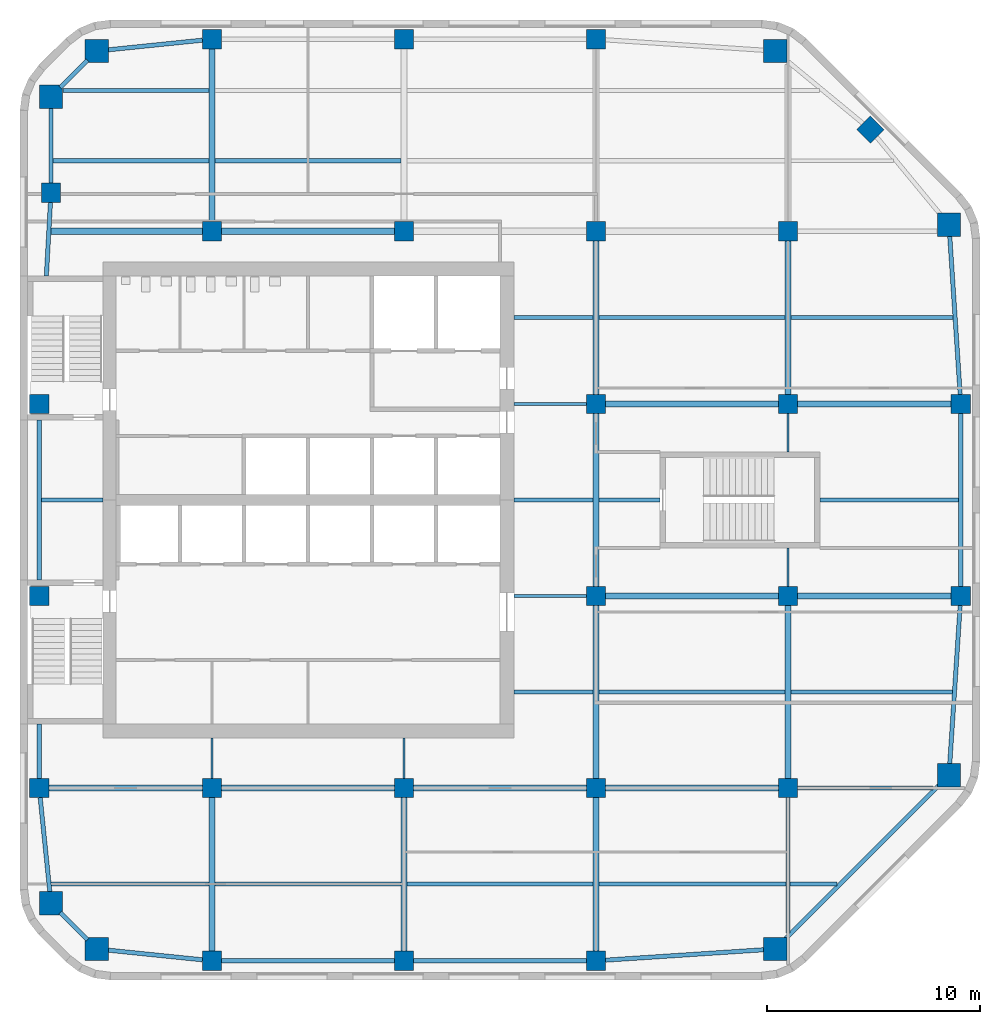
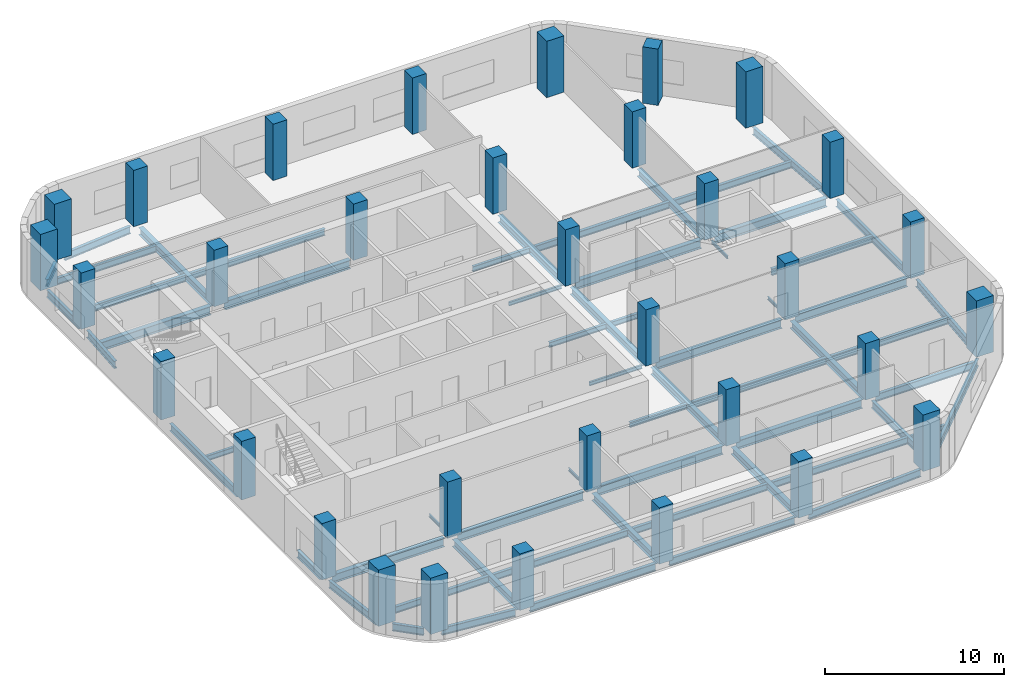
# One storey, part 1 of 8: 61 beams, 33 columns.
"""IFC4 building model written with IfcOpenShell, lengths in metres."""

from ifc_helpers import new_model, si_unit, direction, frame, origin, origin_2d, place, context, subcontext, project, spatial, rectangle, i_section, extrude, material, material_profile, profile_set, type_object, element, save


model = new_model("IFC4")

# Units and contexts
model_context = context("Model", 3, precision=1e-05, world=origin(), true_north=direction((0.0, 1.0)))
body_context = subcontext(model_context, "Body", "Model", "MODEL_VIEW")
ifc_project = project(units=[si_unit("LENGTHUNIT", "METRE"), si_unit("AREAUNIT", "SQUARE_METRE"), si_unit("VOLUMEUNIT", "CUBIC_METRE"), si_unit("PLANEANGLEUNIT", "RADIAN"), si_unit("MASSUNIT", "GRAM", prefix="KILO")], contexts=[model_context])

# Site, building, storey
site_placement = place(None, origin())
site = spatial("IfcSite", under=ifc_project, at=site_placement, CompositionType="ELEMENT")
building_placement = place(site_placement, origin())
building = spatial("IfcBuilding", under=site, at=building_placement, Name="Cinnabar Reach Civic Tower", CompositionType="ELEMENT")
storey_placement = place(building_placement, frame((0.0, 0.0, 185.0)))
storey = spatial("IfcBuildingStorey", under=building, at=storey_placement, Name="L44", CompositionType="ELEMENT", Elevation=185.0)

# Columns
ifc_material_1 = material(Name="Concrete C80", Category="concrete")
ifc_material_profile_1 = material_profile(ifc_material_1, rectangle(XDim=1.1, YDim=1.1, at=origin_2d()), Name="RC1100")
ifc_profile_set_1 = profile_set([ifc_material_profile_1], Name="Concrete C80")
column_type_1 = type_object("IfcColumnType", Name="RC1100 column R 240", PredefinedType="COLUMN", material=ifc_profile_set_1)
for number, where, z_axis, x_axis, name in (
    (1, (3.6019, 10.4531, 0.0), (0.0, 0.0, 1.0), (1.0, 0.0, 0.0), "Column T1-Z3-CC0"),
    (2, (35.3981, 10.4531, 0.0), (0.0, 0.0, 1.0), (1.0, 0.0, 0.0), "Column T1-Z3-CC1"),
    (3, (43.5469, 18.6019, 0.0), (0.0, 0.0, 1.0), (1.0, 0.0, 0.0), "Column T1-Z3-CC2"),
    (4, (43.5469, 44.3981, 0.0), (0.0, 0.0, 1.0), (1.0, 0.0, 0.0), "Column T1-Z3-CC3"),
    (5, (35.3981, 52.5469, 0.0), (0.0, 0.0, 1.0), (1.0, 0.0, 0.0), "Column T1-Z3-CC4"),
    (6, (3.6019, 52.5469, 0.0), (0.0, 0.0, 1.0), (1.0, 0.0, 0.0), "Column T1-Z3-CC5"),
    (7, (1.4531, 50.3981, 0.0), (0.0, 0.0, 1.0), (1.0, 0.0, 0.0), "Column T1-Z3-CC6"),
    (8, (1.4531, 12.6019, 0.0), (0.0, 0.0, 1.0), (1.0, 0.0, 0.0), "Column T1-Z3-CC7"),
):
    element("IfcColumn", number, at=place(storey_placement, frame(where, z_axis=z_axis, x_axis=x_axis)), inside=storey, type_object=column_type_1, Name=name, PredefinedType="COLUMN", context=body_context, shape_type="SweptSolid", body=[
        extrude(rectangle(XDim=1.1, YDim=1.1, at=origin_2d()), origin(), (0.0, 0.0, 1.0), 3.85),
    ])
ifc_material_2 = material(Name="Concrete C70", Category="concrete")
ifc_material_profile_2 = material_profile(ifc_material_2, rectangle(XDim=0.9, YDim=0.9, at=origin_2d()), Name="RC900")
ifc_profile_set_2 = profile_set([ifc_material_profile_2], Name="Concrete C70")
column_type_2 = type_object("IfcColumnType", Name="RC900 column R 240", PredefinedType="COLUMN", material=ifc_profile_set_2)
for number, where, z_axis, x_axis, name in (
    (9, (9.0, 9.9, 0.0), (0.0, 0.0, 1.0), (1.0, 0.0, 0.0), "Column T1-Z3-F0-1"),
    (10, (18.0, 9.9, 0.0), (0.0, 0.0, 1.0), (1.0, 0.0, 0.0), "Column T1-Z3-F0-2"),
    (11, (27.0, 9.9, 0.0), (0.0, 0.0, 1.0), (1.0, 0.0, 0.0), "Column T1-Z3-F0-3"),
    (12, (44.1, 27.0, 0.0), (0.0, 0.0, 1.0), (1.0, 0.0, 0.0), "Column T1-Z3-F2-3"),
    (13, (44.1, 36.0, 0.0), (0.0, 0.0, 1.0), (1.0, 0.0, 0.0), "Column T1-Z3-F2-4"),
    (14, (39.8636, 48.8636, 0.0), (0.0, 0.0, 1.0), (0.707106781187, 0.707106781187, 0.0), "Column T1-Z3-F3-M"),
    (15, (9.0, 53.1, 0.0), (0.0, 0.0, 1.0), (1.0, 0.0, 0.0), "Column T1-Z3-F4-1"),
    (16, (18.0, 53.1, 0.0), (0.0, 0.0, 1.0), (1.0, 0.0, 0.0), "Column T1-Z3-F4-2"),
    (17, (27.0, 53.1, 0.0), (0.0, 0.0, 1.0), (1.0, 0.0, 0.0), "Column T1-Z3-F4-3"),
    (18, (0.9, 18.0, 0.0), (0.0, 0.0, 1.0), (1.0, 0.0, 0.0), "Column T1-Z3-F6-2"),
):
    element("IfcColumn", number, at=place(storey_placement, frame(where, z_axis=z_axis, x_axis=x_axis)), inside=storey, type_object=column_type_2, Name=name, PredefinedType="COLUMN", context=body_context, shape_type="SweptSolid", body=[
        extrude(rectangle(XDim=0.9, YDim=0.9, at=origin_2d()), origin(), (0.0, 0.0, 1.0), 3.85),
    ])
for number, where, z_axis, x_axis, name in (
    (19, (0.9, 27.0, 0.0), (0.0, 0.0, 1.0), (1.0, 0.0, 0.0), "Column T1-Z3-F6-3"),
    (20, (0.9, 36.0, 0.0), (0.0, 0.0, 1.0), (1.0, 0.0, 0.0), "Column T1-Z3-F6-4"),
):
    element("IfcColumn", number, at=place(storey_placement, frame(where, z_axis=z_axis, x_axis=x_axis)), inside=storey, type_object=column_type_2, Name=name, PredefinedType="COLUMN", context=body_context, shape_type="SweptSolid", body=[
        extrude(rectangle(XDim=0.9, YDim=0.9, at=origin_2d()), origin(), (0.0, 0.0, 1.0), 4.0),
    ])
for number, where, z_axis, x_axis, name in (
    (21, (1.4531, 45.8981, 0.0), (0.0, 0.0, 1.0), (1.0, 0.0, 0.0), "Column T1-Z3-F6-5"),
    (22, (9.0, 18.0, 0.0), (0.0, 0.0, 1.0), (1.0, 0.0, 0.0), "Column T1-Z3-I9_18"),
    (23, (9.0, 44.1, 0.0), (0.0, 0.0, 1.0), (1.0, 0.0, 0.0), "Column T1-Z3-I9_45"),
    (24, (18.0, 18.0, 0.0), (0.0, 0.0, 1.0), (1.0, 0.0, 0.0), "Column T1-Z3-I18_18"),
    (25, (18.0, 44.1, 0.0), (0.0, 0.0, 1.0), (1.0, 0.0, 0.0), "Column T1-Z3-I18_45"),
    (26, (27.0, 18.0, 0.0), (0.0, 0.0, 1.0), (1.0, 0.0, 0.0), "Column T1-Z3-I27_18"),
    (27, (27.0, 27.0, 0.0), (0.0, 0.0, 1.0), (1.0, 0.0, 0.0), "Column T1-Z3-I27_27"),
    (28, (27.0, 36.0, 0.0), (0.0, 0.0, 1.0), (1.0, 0.0, 0.0), "Column T1-Z3-I27_36"),
    (29, (27.0, 44.1, 0.0), (0.0, 0.0, 1.0), (1.0, 0.0, 0.0), "Column T1-Z3-I27_45"),
    (30, (36.0, 18.0, 0.0), (0.0, 0.0, 1.0), (1.0, 0.0, 0.0), "Column T1-Z3-I36_18"),
    (31, (36.0, 27.0, 0.0), (0.0, 0.0, 1.0), (1.0, 0.0, 0.0), "Column T1-Z3-I36_27"),
    (32, (36.0, 36.0, 0.0), (0.0, 0.0, 1.0), (1.0, 0.0, 0.0), "Column T1-Z3-I36_36"),
    (33, (36.0, 44.1, 0.0), (0.0, 0.0, 1.0), (1.0, 0.0, 0.0), "Column T1-Z3-I36_45"),
):
    element("IfcColumn", number, at=place(storey_placement, frame(where, z_axis=z_axis, x_axis=x_axis)), inside=storey, type_object=column_type_2, Name=name, PredefinedType="COLUMN", context=body_context, shape_type="SweptSolid", body=[
        extrude(rectangle(XDim=0.9, YDim=0.9, at=origin_2d()), origin(), (0.0, 0.0, 1.0), 3.85),
    ])

# Beams
ifc_material_3 = material(Name="Steel Q355B", Category="steel")
ifc_material_profile_3 = material_profile(ifc_material_3, i_section(OverallWidth=0.3, OverallDepth=0.488, WebThickness=0.011, FlangeThickness=0.018, FilletRadius=0.016, at=origin_2d()), Name="HM488x300x11x18")
ifc_profile_set_3 = profile_set([ifc_material_profile_3], Name="Steel Q355B")
beam_type_1 = type_object("IfcBeamType", Name="HM488x300x11x18 beam R 180", PredefinedType="BEAM", material=ifc_profile_set_3)
beam_1_placement = place(storey_placement, frame((9.0, 10.352, -0.394), z_axis=(0.0, 1.0, 0.0), x_axis=(-1.0, 0.0, 0.0)))
element("IfcBeam", 34, at=beam_1_placement, inside=storey, type_object=beam_type_1, Name="Girder T1 L44 1", PredefinedType="BEAM", context=body_context, shape_type="SweptSolid", body=[
    extrude(i_section(OverallWidth=0.3, OverallDepth=0.488, WebThickness=0.011, FlangeThickness=0.018, FilletRadius=0.016, at=origin_2d()), origin(), (0.0, 0.0, 1.0), 7.196),
])
beam_2_placement = place(storey_placement, frame((9.0, 44.552, -0.394), z_axis=(0.0, 1.0, 0.0), x_axis=(-1.0, 0.0, 0.0)))
element("IfcBeam", 35, at=beam_2_placement, inside=storey, type_object=beam_type_1, Name="Girder T1 L44 3", PredefinedType="BEAM", context=body_context, shape_type="SweptSolid", body=[
    extrude(i_section(OverallWidth=0.3, OverallDepth=0.488, WebThickness=0.011, FlangeThickness=0.018, FilletRadius=0.016, at=origin_2d()), origin(), (0.0, 0.0, 1.0), 8.096),
])
for number, where, z_axis, x_axis, name in (
    (36, (18.0, 10.352, -0.394), (0.0, 1.0, 0.0), (-1.0, 0.0, 0.0), "Girder T1 L44 4"),
    (37, (27.0, 10.352, -0.394), (0.0, 1.0, 0.0), (-1.0, 0.0, 0.0), "Girder T1 L44 7"),
):
    element("IfcBeam", number, at=place(storey_placement, frame(where, z_axis=z_axis, x_axis=x_axis)), inside=storey, type_object=beam_type_1, Name=name, PredefinedType="BEAM", context=body_context, shape_type="SweptSolid", body=[
        extrude(i_section(OverallWidth=0.3, OverallDepth=0.488, WebThickness=0.011, FlangeThickness=0.018, FilletRadius=0.016, at=origin_2d()), origin(), (0.0, 0.0, 1.0), 7.196),
    ])
for number, where, z_axis, x_axis, name in (
    (38, (27.0, 18.452, -0.394), (0.0, 1.0, 0.0), (-1.0, 0.0, 0.0), "Girder T1 L44 8"),
    (39, (27.0, 27.452, -0.394), (0.0, 1.0, 0.0), (-1.0, 0.0, 0.0), "Girder T1 L44 9"),
):
    element("IfcBeam", number, at=place(storey_placement, frame(where, z_axis=z_axis, x_axis=x_axis)), inside=storey, type_object=beam_type_1, Name=name, PredefinedType="BEAM", context=body_context, shape_type="SweptSolid", body=[
        extrude(i_section(OverallWidth=0.3, OverallDepth=0.488, WebThickness=0.011, FlangeThickness=0.018, FilletRadius=0.016, at=origin_2d()), origin(), (0.0, 0.0, 1.0), 8.096),
    ])
beam_3_placement = place(storey_placement, frame((27.0, 36.452, -0.394), z_axis=(0.0, 1.0, 0.0), x_axis=(-1.0, 0.0, 0.0)))
element("IfcBeam", 40, at=beam_3_placement, inside=storey, type_object=beam_type_1, Name="Girder T1 L44 10", PredefinedType="BEAM", context=body_context, shape_type="SweptSolid", body=[
    extrude(i_section(OverallWidth=0.3, OverallDepth=0.488, WebThickness=0.011, FlangeThickness=0.018, FilletRadius=0.016, at=origin_2d()), origin(), (0.0, 0.0, 1.0), 7.196),
])
beam_4_placement = place(storey_placement, frame((36.0, 18.452, -0.394), z_axis=(0.0, 1.0, 0.0), x_axis=(-1.0, 0.0, 0.0)))
element("IfcBeam", 41, at=beam_4_placement, inside=storey, type_object=beam_type_1, Name="Girder T1 L44 13", PredefinedType="BEAM", context=body_context, shape_type="SweptSolid", body=[
    extrude(i_section(OverallWidth=0.3, OverallDepth=0.488, WebThickness=0.011, FlangeThickness=0.018, FilletRadius=0.016, at=origin_2d()), origin(), (0.0, 0.0, 1.0), 8.096),
])
beam_5_placement = place(storey_placement, frame((36.0, 36.452, -0.394), z_axis=(0.0, 1.0, 0.0), x_axis=(-1.0, 0.0, 0.0)))
element("IfcBeam", 42, at=beam_5_placement, inside=storey, type_object=beam_type_1, Name="Girder T1 L44 16", PredefinedType="BEAM", context=body_context, shape_type="SweptSolid", body=[
    extrude(i_section(OverallWidth=0.3, OverallDepth=0.488, WebThickness=0.011, FlangeThickness=0.018, FilletRadius=0.016, at=origin_2d()), origin(), (0.0, 0.0, 1.0), 7.196),
])
ifc_material_profile_4 = material_profile(ifc_material_3, i_section(OverallWidth=0.3, OverallDepth=0.588, WebThickness=0.012, FlangeThickness=0.02, FilletRadius=0.016, at=origin_2d()), Name="HM588x300x12x20")
ifc_profile_set_4 = profile_set([ifc_material_profile_4], Name="Steel Q355B")
beam_type_2 = type_object("IfcBeamType", Name="HM588x300x12x20 beam R 180", PredefinedType="BEAM", material=ifc_profile_set_4)
beam_6_placement = place(storey_placement, frame((1.352, 18.0, -0.444), z_axis=(1.0, 0.0, 0.0), x_axis=(0.0, 1.0, 0.0)))
element("IfcBeam", 43, at=beam_6_placement, inside=storey, type_object=beam_type_2, Name="Girder T1 L44 1", PredefinedType="BEAM", context=body_context, shape_type="SweptSolid", body=[
    extrude(i_section(OverallWidth=0.3, OverallDepth=0.588, WebThickness=0.012, FlangeThickness=0.02, FilletRadius=0.016, at=origin_2d()), origin(), (0.0, 0.0, 1.0), 7.196),
])
for number, where, z_axis, x_axis, name in (
    (44, (9.452, 18.0, -0.444), (1.0, 0.0, 0.0), (0.0, 1.0, 0.0), "Girder T1 L44 2"),
    (45, (18.452, 18.0, -0.444), (1.0, 0.0, 0.0), (0.0, 1.0, 0.0), "Girder T1 L44 3"),
    (46, (27.452, 18.0, -0.444), (1.0, 0.0, 0.0), (0.0, 1.0, 0.0), "Girder T1 L44 4"),
    (47, (27.452, 27.0, -0.444), (1.0, 0.0, 0.0), (0.0, 1.0, 0.0), "Girder T1 L44 7"),
):
    element("IfcBeam", number, at=place(storey_placement, frame(where, z_axis=z_axis, x_axis=x_axis)), inside=storey, type_object=beam_type_2, Name=name, PredefinedType="BEAM", context=body_context, shape_type="SweptSolid", body=[
        extrude(i_section(OverallWidth=0.3, OverallDepth=0.588, WebThickness=0.012, FlangeThickness=0.02, FilletRadius=0.016, at=origin_2d()), origin(), (0.0, 0.0, 1.0), 8.096),
    ])
beam_7_placement = place(storey_placement, frame((36.452, 27.0, -0.444), z_axis=(1.0, 0.0, 0.0), x_axis=(0.0, 1.0, 0.0)))
element("IfcBeam", 48, at=beam_7_placement, inside=storey, type_object=beam_type_2, Name="Girder T1 L44 8", PredefinedType="BEAM", context=body_context, shape_type="SweptSolid", body=[
    extrude(i_section(OverallWidth=0.3, OverallDepth=0.588, WebThickness=0.012, FlangeThickness=0.02, FilletRadius=0.016, at=origin_2d()), origin(), (0.0, 0.0, 1.0), 7.196),
])
beam_8_placement = place(storey_placement, frame((27.452, 36.0, -0.444), z_axis=(1.0, 0.0, 0.0), x_axis=(0.0, 1.0, 0.0)))
element("IfcBeam", 49, at=beam_8_placement, inside=storey, type_object=beam_type_2, Name="Girder T1 L44 10", PredefinedType="BEAM", context=body_context, shape_type="SweptSolid", body=[
    extrude(i_section(OverallWidth=0.3, OverallDepth=0.588, WebThickness=0.012, FlangeThickness=0.02, FilletRadius=0.016, at=origin_2d()), origin(), (0.0, 0.0, 1.0), 8.096),
])
beam_9_placement = place(storey_placement, frame((36.452, 36.0, -0.444), z_axis=(1.0, 0.0, 0.0), x_axis=(0.0, 1.0, 0.0)))
element("IfcBeam", 50, at=beam_9_placement, inside=storey, type_object=beam_type_2, Name="Girder T1 L44 11", PredefinedType="BEAM", context=body_context, shape_type="SweptSolid", body=[
    extrude(i_section(OverallWidth=0.3, OverallDepth=0.588, WebThickness=0.012, FlangeThickness=0.02, FilletRadius=0.016, at=origin_2d()), origin(), (0.0, 0.0, 1.0), 7.196),
])
beam_10_placement = place(storey_placement, frame((1.4548, 44.1, -0.444), z_axis=(1.0, 0.0, 0.0), x_axis=(0.0, 1.0, 0.0)))
element("IfcBeam", 51, at=beam_10_placement, inside=storey, type_object=beam_type_2, Name="Girder T1 L44 12", PredefinedType="BEAM", context=body_context, shape_type="SweptSolid", body=[
    extrude(i_section(OverallWidth=0.3, OverallDepth=0.588, WebThickness=0.012, FlangeThickness=0.02, FilletRadius=0.016, at=origin_2d()), origin(), (0.0, 0.0, 1.0), 7.0932),
])
beam_11_placement = place(storey_placement, frame((9.452, 44.1, -0.444), z_axis=(1.0, 0.0, 0.0), x_axis=(0.0, 1.0, 0.0)))
element("IfcBeam", 52, at=beam_11_placement, inside=storey, type_object=beam_type_2, Name="Girder T1 L44 13", PredefinedType="BEAM", context=body_context, shape_type="SweptSolid", body=[
    extrude(i_section(OverallWidth=0.3, OverallDepth=0.588, WebThickness=0.012, FlangeThickness=0.02, FilletRadius=0.016, at=origin_2d()), origin(), (0.0, 0.0, 1.0), 8.096),
])
ifc_material_profile_5 = material_profile(ifc_material_3, i_section(OverallWidth=0.099, OverallDepth=0.198, WebThickness=0.0045, FlangeThickness=0.007, FilletRadius=0.013, at=origin_2d()), Name="HN200x100x5.5x8")
ifc_profile_set_5 = profile_set([ifc_material_profile_5], Name="Steel Q355B")
beam_type_3 = type_object("IfcBeamType", Name="HN200x100x5.5x8 beam R 180", PredefinedType="BEAM", material=ifc_profile_set_5)
for number, where, z_axis, x_axis, name in (
    (53, (9.0, 18.452, -0.249), (0.0, 1.0, 0.0), (-1.0, 0.0, 0.0), "Girder T1 L44 2"),
    (54, (18.0, 18.452, -0.249), (0.0, 1.0, 0.0), (-1.0, 0.0, 0.0), "Girder T1 L44 5"),
):
    element("IfcBeam", number, at=place(storey_placement, frame(where, z_axis=z_axis, x_axis=x_axis)), inside=storey, type_object=beam_type_3, Name=name, PredefinedType="BEAM", context=body_context, shape_type="SweptSolid", body=[
        extrude(i_section(OverallWidth=0.099, OverallDepth=0.198, WebThickness=0.0045, FlangeThickness=0.007, FilletRadius=0.013, at=origin_2d()), origin(), (0.0, 0.0, 1.0), 1.896),
    ])
for number, where, z_axis, x_axis, name in (
    (55, (36.0, 27.452, -0.249), (0.0, 1.0, 0.0), (-1.0, 0.0, 0.0), "Girder T1 L44 14"),
    (56, (36.0, 33.752, -0.249), (0.0, 1.0, 0.0), (-1.0, 0.0, 0.0), "Girder T1 L44 15"),
):
    element("IfcBeam", number, at=place(storey_placement, frame(where, z_axis=z_axis, x_axis=x_axis)), inside=storey, type_object=beam_type_3, Name=name, PredefinedType="BEAM", context=body_context, shape_type="SweptSolid", body=[
        extrude(i_section(OverallWidth=0.099, OverallDepth=0.198, WebThickness=0.0045, FlangeThickness=0.007, FilletRadius=0.013, at=origin_2d()), origin(), (0.0, 0.0, 1.0), 1.796),
    ])
ifc_material_profile_6 = material_profile(ifc_material_3, i_section(OverallWidth=0.124, OverallDepth=0.248, WebThickness=0.005, FlangeThickness=0.008, FilletRadius=0.013, at=origin_2d()), Name="HN250x125x6x9")
ifc_profile_set_6 = profile_set([ifc_material_profile_6], Name="Steel Q355B")
beam_type_4 = type_object("IfcBeamType", Name="HN250x125x6x9 beam R 180", PredefinedType="BEAM", material=ifc_profile_set_6)
for number, where, z_axis, x_axis, name in (
    (57, (23.152, 27.0, -0.274), (1.0, 0.0, 0.0), (0.0, 1.0, 0.0), "Girder T1 L44 6"),
    (58, (23.152, 36.0, -0.274), (1.0, 0.0, 0.0), (0.0, 1.0, 0.0), "Girder T1 L44 9"),
):
    element("IfcBeam", number, at=place(storey_placement, frame(where, z_axis=z_axis, x_axis=x_axis)), inside=storey, type_object=beam_type_4, Name=name, PredefinedType="BEAM", context=body_context, shape_type="SweptSolid", body=[
        extrude(i_section(OverallWidth=0.124, OverallDepth=0.248, WebThickness=0.005, FlangeThickness=0.008, FilletRadius=0.013, at=origin_2d()), origin(), (0.0, 0.0, 1.0), 3.396),
    ])
ifc_material_profile_7 = material_profile(ifc_material_3, i_section(OverallWidth=0.175, OverallDepth=0.35, WebThickness=0.007, FlangeThickness=0.011, FilletRadius=0.013, at=origin_2d()), Name="HN350x175x7x11")
ifc_profile_set_7 = profile_set([ifc_material_profile_7], Name="Steel Q355B")
beam_type_5 = type_object("IfcBeamType", Name="HN350x175x7x11 beam R 180", PredefinedType="BEAM", material=ifc_profile_set_7)
beam_12_placement = place(storey_placement, frame((36.102, 13.5, -0.325), z_axis=(1.0, 0.0, 0.0), x_axis=(0.0, 1.0, 0.0)))
element("IfcBeam", 59, at=beam_12_placement, inside=storey, type_object=beam_type_5, Name="Secondary beam T1 L44 5", PredefinedType="BEAM", context=body_context, shape_type="SweptSolid", body=[
    extrude(i_section(OverallWidth=0.175, OverallDepth=0.35, WebThickness=0.007, FlangeThickness=0.011, FilletRadius=0.013, at=origin_2d()), origin(), (0.0, 0.0, 1.0), 2.1988),
])
beam_13_placement = place(storey_placement, frame((23.152, 22.5, -0.325), z_axis=(1.0, 0.0, 0.0), x_axis=(0.0, 1.0, 0.0)))
element("IfcBeam", 60, at=beam_13_placement, inside=storey, type_object=beam_type_5, Name="Secondary beam T1 L44 6", PredefinedType="BEAM", context=body_context, shape_type="SweptSolid", body=[
    extrude(i_section(OverallWidth=0.175, OverallDepth=0.35, WebThickness=0.007, FlangeThickness=0.011, FilletRadius=0.013, at=origin_2d()), origin(), (0.0, 0.0, 1.0), 3.696),
])
beam_14_placement = place(storey_placement, frame((1.002, 31.5, -0.325), z_axis=(1.0, 0.0, 0.0), x_axis=(0.0, 1.0, 0.0)))
element("IfcBeam", 61, at=beam_14_placement, inside=storey, type_object=beam_type_5, Name="Secondary beam T1 L44 9", PredefinedType="BEAM", context=body_context, shape_type="SweptSolid", body=[
    extrude(i_section(OverallWidth=0.175, OverallDepth=0.35, WebThickness=0.007, FlangeThickness=0.011, FilletRadius=0.013, at=origin_2d()), origin(), (0.0, 0.0, 1.0), 2.896),
])
beam_15_placement = place(storey_placement, frame((23.152, 31.5, -0.325), z_axis=(1.0, 0.0, 0.0), x_axis=(0.0, 1.0, 0.0)))
element("IfcBeam", 62, at=beam_15_placement, inside=storey, type_object=beam_type_5, Name="Secondary beam T1 L44 10", PredefinedType="BEAM", context=body_context, shape_type="SweptSolid", body=[
    extrude(i_section(OverallWidth=0.175, OverallDepth=0.35, WebThickness=0.007, FlangeThickness=0.011, FilletRadius=0.013, at=origin_2d()), origin(), (0.0, 0.0, 1.0), 3.696),
])
beam_16_placement = place(storey_placement, frame((27.152, 31.5, -0.325), z_axis=(1.0, 0.0, 0.0), x_axis=(0.0, 1.0, 0.0)))
element("IfcBeam", 63, at=beam_16_placement, inside=storey, type_object=beam_type_5, Name="Secondary beam T1 L44 11", PredefinedType="BEAM", context=body_context, shape_type="SweptSolid", body=[
    extrude(i_section(OverallWidth=0.175, OverallDepth=0.35, WebThickness=0.007, FlangeThickness=0.011, FilletRadius=0.013, at=origin_2d()), origin(), (0.0, 0.0, 1.0), 2.846),
])
beam_17_placement = place(storey_placement, frame((23.152, 40.05, -0.325), z_axis=(1.0, 0.0, 0.0), x_axis=(0.0, 1.0, 0.0)))
element("IfcBeam", 64, at=beam_17_placement, inside=storey, type_object=beam_type_5, Name="Secondary beam T1 L44 13", PredefinedType="BEAM", context=body_context, shape_type="SweptSolid", body=[
    extrude(i_section(OverallWidth=0.175, OverallDepth=0.35, WebThickness=0.007, FlangeThickness=0.011, FilletRadius=0.013, at=origin_2d()), origin(), (0.0, 0.0, 1.0), 3.696),
])
ifc_material_profile_8 = material_profile(ifc_material_3, i_section(OverallWidth=0.2, OverallDepth=0.45, WebThickness=0.009, FlangeThickness=0.014, FilletRadius=0.016, at=origin_2d()), Name="HN450x200x9x14")
ifc_profile_set_8 = profile_set([ifc_material_profile_8], Name="Steel Q355B")
beam_type_6 = type_object("IfcBeamType", Name="HN450x200x9x14 beam R 180", PredefinedType="BEAM", material=ifc_profile_set_8)
beam_18_placement = place(storey_placement, frame((1.4636, 13.5, -0.375), z_axis=(1.0, 0.0, 0.0), x_axis=(0.0, 1.0, 0.0)))
element("IfcBeam", 65, at=beam_18_placement, inside=storey, type_object=beam_type_6, Name="Secondary beam T1 L44 1", PredefinedType="BEAM", context=body_context, shape_type="SweptSolid", body=[
    extrude(i_section(OverallWidth=0.2, OverallDepth=0.45, WebThickness=0.009, FlangeThickness=0.014, FilletRadius=0.016, at=origin_2d()), origin(), (0.0, 0.0, 1.0), 7.3844),
])
for number, where, z_axis, x_axis, name in (
    (66, (9.152, 13.5, -0.375), (1.0, 0.0, 0.0), (0.0, 1.0, 0.0), "Secondary beam T1 L44 2"),
    (67, (18.152, 13.5, -0.375), (1.0, 0.0, 0.0), (0.0, 1.0, 0.0), "Secondary beam T1 L44 3"),
):
    element("IfcBeam", number, at=place(storey_placement, frame(where, z_axis=z_axis, x_axis=x_axis)), inside=storey, type_object=beam_type_6, Name=name, PredefinedType="BEAM", context=body_context, shape_type="SweptSolid", body=[
        extrude(i_section(OverallWidth=0.2, OverallDepth=0.45, WebThickness=0.009, FlangeThickness=0.014, FilletRadius=0.016, at=origin_2d()), origin(), (0.0, 0.0, 1.0), 8.696),
    ])
beam_19_placement = place(storey_placement, frame((27.152, 13.5, -0.375), z_axis=(1.0, 0.0, 0.0), x_axis=(0.0, 1.0, 0.0)))
element("IfcBeam", 68, at=beam_19_placement, inside=storey, type_object=beam_type_6, Name="Secondary beam T1 L44 4", PredefinedType="BEAM", context=body_context, shape_type="SweptSolid", body=[
    extrude(i_section(OverallWidth=0.2, OverallDepth=0.45, WebThickness=0.009, FlangeThickness=0.014, FilletRadius=0.016, at=origin_2d()), origin(), (0.0, 0.0, 1.0), 8.746),
])
beam_20_placement = place(storey_placement, frame((27.152, 22.5, -0.375), z_axis=(1.0, 0.0, 0.0), x_axis=(0.0, 1.0, 0.0)))
element("IfcBeam", 69, at=beam_20_placement, inside=storey, type_object=beam_type_6, Name="Secondary beam T1 L44 7", PredefinedType="BEAM", context=body_context, shape_type="SweptSolid", body=[
    extrude(i_section(OverallWidth=0.2, OverallDepth=0.45, WebThickness=0.009, FlangeThickness=0.014, FilletRadius=0.016, at=origin_2d()), origin(), (0.0, 0.0, 1.0), 8.696),
])
beam_21_placement = place(storey_placement, frame((36.152, 22.5, -0.375), z_axis=(1.0, 0.0, 0.0), x_axis=(0.0, 1.0, 0.0)))
element("IfcBeam", 70, at=beam_21_placement, inside=storey, type_object=beam_type_6, Name="Secondary beam T1 L44 8", PredefinedType="BEAM", context=body_context, shape_type="SweptSolid", body=[
    extrude(i_section(OverallWidth=0.2, OverallDepth=0.45, WebThickness=0.009, FlangeThickness=0.014, FilletRadius=0.016, at=origin_2d()), origin(), (0.0, 0.0, 1.0), 7.5494),
])
beam_22_placement = place(storey_placement, frame((37.502, 31.5, -0.375), z_axis=(1.0, 0.0, 0.0), x_axis=(0.0, 1.0, 0.0)))
element("IfcBeam", 71, at=beam_22_placement, inside=storey, type_object=beam_type_6, Name="Secondary beam T1 L44 12", PredefinedType="BEAM", context=body_context, shape_type="SweptSolid", body=[
    extrude(i_section(OverallWidth=0.2, OverallDepth=0.45, WebThickness=0.009, FlangeThickness=0.014, FilletRadius=0.016, at=origin_2d()), origin(), (0.0, 0.0, 1.0), 6.496),
])
beam_23_placement = place(storey_placement, frame((27.152, 40.05, -0.375), z_axis=(1.0, 0.0, 0.0), x_axis=(0.0, 1.0, 0.0)))
element("IfcBeam", 72, at=beam_23_placement, inside=storey, type_object=beam_type_6, Name="Secondary beam T1 L44 14", PredefinedType="BEAM", context=body_context, shape_type="SweptSolid", body=[
    extrude(i_section(OverallWidth=0.2, OverallDepth=0.45, WebThickness=0.009, FlangeThickness=0.014, FilletRadius=0.016, at=origin_2d()), origin(), (0.0, 0.0, 1.0), 8.696),
])
beam_24_placement = place(storey_placement, frame((36.152, 40.05, -0.375), z_axis=(1.0, 0.0, 0.0), x_axis=(0.0, 1.0, 0.0)))
element("IfcBeam", 73, at=beam_24_placement, inside=storey, type_object=beam_type_6, Name="Secondary beam T1 L44 15", PredefinedType="BEAM", context=body_context, shape_type="SweptSolid", body=[
    extrude(i_section(OverallWidth=0.2, OverallDepth=0.45, WebThickness=0.009, FlangeThickness=0.014, FilletRadius=0.016, at=origin_2d()), origin(), (0.0, 0.0, 1.0), 7.579),
])
beam_25_placement = place(storey_placement, frame((1.5551, 47.4, -0.375), z_axis=(1.0, 0.0, 0.0), x_axis=(0.0, 1.0, 0.0)))
element("IfcBeam", 74, at=beam_25_placement, inside=storey, type_object=beam_type_6, Name="Secondary beam T1 L44 16", PredefinedType="BEAM", context=body_context, shape_type="SweptSolid", body=[
    extrude(i_section(OverallWidth=0.2, OverallDepth=0.45, WebThickness=0.009, FlangeThickness=0.014, FilletRadius=0.016, at=origin_2d()), origin(), (0.0, 0.0, 1.0), 7.2929),
])
beam_26_placement = place(storey_placement, frame((9.152, 47.4, -0.375), z_axis=(1.0, 0.0, 0.0), x_axis=(0.0, 1.0, 0.0)))
element("IfcBeam", 75, at=beam_26_placement, inside=storey, type_object=beam_type_6, Name="Secondary beam T1 L44 17", PredefinedType="BEAM", context=body_context, shape_type="SweptSolid", body=[
    extrude(i_section(OverallWidth=0.2, OverallDepth=0.45, WebThickness=0.009, FlangeThickness=0.014, FilletRadius=0.016, at=origin_2d()), origin(), (0.0, 0.0, 1.0), 8.696),
])
beam_27_placement = place(storey_placement, frame((2.0051, 50.7, -0.375), z_axis=(1.0, 0.0, 0.0), x_axis=(0.0, 1.0, 0.0)))
element("IfcBeam", 76, at=beam_27_placement, inside=storey, type_object=beam_type_6, Name="Secondary beam T1 L44 21", PredefinedType="BEAM", context=body_context, shape_type="SweptSolid", body=[
    extrude(i_section(OverallWidth=0.2, OverallDepth=0.45, WebThickness=0.009, FlangeThickness=0.014, FilletRadius=0.016, at=origin_2d()), origin(), (0.0, 0.0, 1.0), 6.8429),
])
ifc_material_profile_9 = material_profile(ifc_material_3, i_section(OverallWidth=0.2, OverallDepth=0.5, WebThickness=0.01, FlangeThickness=0.016, FilletRadius=0.016, at=origin_2d()), Name="HN500x200x10x16")
ifc_profile_set_9 = profile_set([ifc_material_profile_9], Name="Steel Q355B")
beam_type_7 = type_object("IfcBeamType", Name="HN500x200x10x16 beam R 180", PredefinedType="BEAM", material=ifc_profile_set_9)
beam_28_placement = place(storey_placement, frame((4.0339, 10.4088, -0.4), z_axis=(0.994792272495, -0.101923179821, 0.0), x_axis=(0.101923179821, 0.994792272495, 0.0)))
element("IfcBeam", 77, at=beam_28_placement, inside=storey, type_object=beam_type_7, Name="Edge beam T1 L44 1", PredefinedType="BEAM", context=body_context, shape_type="SweptSolid", body=[
    extrude(i_section(OverallWidth=0.2, OverallDepth=0.5, WebThickness=0.01, FlangeThickness=0.016, FilletRadius=0.016, at=origin_2d()), origin(), (0.0, 0.0, 1.0), 4.5377),
])
for number, where, z_axis, x_axis, name in (
    (78, (9.452, 9.9, -0.4), (1.0, 0.0, 0.0), (0.0, 1.0, 0.0), "Edge beam T1 L44 2"),
    (79, (18.452, 9.9, -0.4), (1.0, 0.0, 0.0), (0.0, 1.0, 0.0), "Edge beam T1 L44 3"),
):
    element("IfcBeam", number, at=place(storey_placement, frame(where, z_axis=z_axis, x_axis=x_axis)), inside=storey, type_object=beam_type_7, Name=name, PredefinedType="BEAM", context=body_context, shape_type="SweptSolid", body=[
        extrude(i_section(OverallWidth=0.2, OverallDepth=0.5, WebThickness=0.01, FlangeThickness=0.016, FilletRadius=0.016, at=origin_2d()), origin(), (0.0, 0.0, 1.0), 8.096),
    ])
beam_29_placement = place(storey_placement, frame((27.452, 9.9298, -0.4), z_axis=(0.99783894477, 0.065707231721, 0.0), x_axis=(-0.065707231721, 0.99783894477, 0.0)))
element("IfcBeam", 80, at=beam_29_placement, inside=storey, type_object=beam_type_7, Name="Edge beam T1 L44 4", PredefinedType="BEAM", context=body_context, shape_type="SweptSolid", body=[
    extrude(i_section(OverallWidth=0.2, OverallDepth=0.5, WebThickness=0.01, FlangeThickness=0.016, FilletRadius=0.016, at=origin_2d()), origin(), (0.0, 0.0, 1.0), 7.5304),
])
beam_30_placement = place(storey_placement, frame((35.8301, 10.8851, -0.4), z_axis=(0.707106781187, 0.707106781187, 0.0), x_axis=(-0.707106781187, 0.707106781187, 0.0)))
element("IfcBeam", 81, at=beam_30_placement, inside=storey, type_object=beam_type_7, Name="Edge beam T1 L44 5", PredefinedType="BEAM", context=body_context, shape_type="SweptSolid", body=[
    extrude(i_section(OverallWidth=0.2, OverallDepth=0.5, WebThickness=0.01, FlangeThickness=0.016, FilletRadius=0.016, at=origin_2d()), origin(), (0.0, 0.0, 1.0), 10.3023),
])
beam_31_placement = place(storey_placement, frame((43.5754, 19.0339, -0.4), z_axis=(0.065707231721, 0.99783894477, 0.0), x_axis=(-0.99783894477, 0.065707231721, 0.0)))
element("IfcBeam", 82, at=beam_31_placement, inside=storey, type_object=beam_type_7, Name="Edge beam T1 L44 6", PredefinedType="BEAM", context=body_context, shape_type="SweptSolid", body=[
    extrude(i_section(OverallWidth=0.2, OverallDepth=0.5, WebThickness=0.01, FlangeThickness=0.016, FilletRadius=0.016, at=origin_2d()), origin(), (0.0, 0.0, 1.0), 7.5304),
])
beam_32_placement = place(storey_placement, frame((44.1, 27.452, -0.4), z_axis=(0.0, 1.0, 0.0), x_axis=(-1.0, 0.0, 0.0)))
element("IfcBeam", 83, at=beam_32_placement, inside=storey, type_object=beam_type_7, Name="Edge beam T1 L44 7", PredefinedType="BEAM", context=body_context, shape_type="SweptSolid", body=[
    extrude(i_section(OverallWidth=0.2, OverallDepth=0.5, WebThickness=0.01, FlangeThickness=0.016, FilletRadius=0.016, at=origin_2d()), origin(), (0.0, 0.0, 1.0), 8.096),
])
beam_33_placement = place(storey_placement, frame((44.0702, 36.452, -0.4), z_axis=(-0.065707231721, 0.99783894477, 0.0), x_axis=(-0.99783894477, -0.065707231721, 0.0)))
element("IfcBeam", 84, at=beam_33_placement, inside=storey, type_object=beam_type_7, Name="Edge beam T1 L44 8", PredefinedType="BEAM", context=body_context, shape_type="SweptSolid", body=[
    extrude(i_section(OverallWidth=0.2, OverallDepth=0.5, WebThickness=0.01, FlangeThickness=0.016, FilletRadius=0.016, at=origin_2d()), origin(), (0.0, 0.0, 1.0), 7.5304),
])
beam_34_placement = place(storey_placement, frame((8.548, 53.0537, -0.4), z_axis=(-0.994792272495, -0.101923179821, 0.0), x_axis=(0.101923179821, -0.994792272495, 0.0)))
element("IfcBeam", 85, at=beam_34_placement, inside=storey, type_object=beam_type_7, Name="Edge beam T1 L44 14", PredefinedType="BEAM", context=body_context, shape_type="SweptSolid", body=[
    extrude(i_section(OverallWidth=0.2, OverallDepth=0.5, WebThickness=0.01, FlangeThickness=0.016, FilletRadius=0.016, at=origin_2d()), origin(), (0.0, 0.0, 1.0), 4.5377),
])
beam_35_placement = place(storey_placement, frame((3.1699, 52.1149, -0.4), z_axis=(-0.707106781187, -0.707106781187, 0.0), x_axis=(0.707106781187, -0.707106781187, 0.0)))
element("IfcBeam", 86, at=beam_35_placement, inside=storey, type_object=beam_type_7, Name="Edge beam T1 L44 15", PredefinedType="BEAM", context=body_context, shape_type="SweptSolid", body=[
    extrude(i_section(OverallWidth=0.2, OverallDepth=0.5, WebThickness=0.01, FlangeThickness=0.016, FilletRadius=0.016, at=origin_2d()), origin(), (0.0, 0.0, 1.0), 1.817),
])
beam_36_placement = place(storey_placement, frame((1.4531, 49.9661, -0.4), z_axis=(0.0, -1.0, 0.0), x_axis=(1.0, 0.0, 0.0)))
element("IfcBeam", 87, at=beam_36_placement, inside=storey, type_object=beam_type_7, Name="Edge beam T1 L44 16", PredefinedType="BEAM", context=body_context, shape_type="SweptSolid", body=[
    extrude(i_section(OverallWidth=0.2, OverallDepth=0.5, WebThickness=0.01, FlangeThickness=0.016, FilletRadius=0.016, at=origin_2d()), origin(), (0.0, 0.0, 1.0), 3.616),
])
beam_37_placement = place(storey_placement, frame((1.4278, 45.4461, -0.4), z_axis=(-0.0557766862, -0.998443268932, 0.0), x_axis=(0.998443268932, -0.0557766862, 0.0)))
element("IfcBeam", 88, at=beam_37_placement, inside=storey, type_object=beam_type_7, Name="Edge beam T1 L44 17", PredefinedType="BEAM", context=body_context, shape_type="SweptSolid", body=[
    extrude(i_section(OverallWidth=0.2, OverallDepth=0.5, WebThickness=0.01, FlangeThickness=0.016, FilletRadius=0.016, at=origin_2d()), origin(), (0.0, 0.0, 1.0), 3.4495),
])
beam_38_placement = place(storey_placement, frame((0.9, 35.248, -0.4), z_axis=(0.0, -1.0, 0.0), x_axis=(1.0, 0.0, 0.0)))
element("IfcBeam", 89, at=beam_38_placement, inside=storey, type_object=beam_type_7, Name="Edge beam T1 L44 18", PredefinedType="BEAM", context=body_context, shape_type="SweptSolid", body=[
    extrude(i_section(OverallWidth=0.2, OverallDepth=0.5, WebThickness=0.01, FlangeThickness=0.016, FilletRadius=0.016, at=origin_2d()), origin(), (0.0, 0.0, 1.0), 7.496),
])
beam_39_placement = place(storey_placement, frame((0.9, 20.998, -0.4), z_axis=(0.0, -1.0, 0.0), x_axis=(1.0, 0.0, 0.0)))
element("IfcBeam", 90, at=beam_39_placement, inside=storey, type_object=beam_type_7, Name="Edge beam T1 L44 19", PredefinedType="BEAM", context=body_context, shape_type="SweptSolid", body=[
    extrude(i_section(OverallWidth=0.2, OverallDepth=0.5, WebThickness=0.01, FlangeThickness=0.016, FilletRadius=0.016, at=origin_2d()), origin(), (0.0, 0.0, 1.0), 2.546),
])
beam_40_placement = place(storey_placement, frame((0.9463, 17.548, -0.4), z_axis=(0.101923179821, -0.994792272495, 0.0), x_axis=(0.994792272495, 0.101923179821, 0.0)))
element("IfcBeam", 91, at=beam_40_placement, inside=storey, type_object=beam_type_7, Name="Edge beam T1 L44 20", PredefinedType="BEAM", context=body_context, shape_type="SweptSolid", body=[
    extrude(i_section(OverallWidth=0.2, OverallDepth=0.5, WebThickness=0.01, FlangeThickness=0.016, FilletRadius=0.016, at=origin_2d()), origin(), (0.0, 0.0, 1.0), 4.5377),
])
beam_41_placement = place(storey_placement, frame((1.8851, 12.1699, -0.4), z_axis=(0.707106781187, -0.707106781187, 0.0), x_axis=(0.707106781187, 0.707106781187, 0.0)))
element("IfcBeam", 92, at=beam_41_placement, inside=storey, type_object=beam_type_7, Name="Edge beam T1 L44 21", PredefinedType="BEAM", context=body_context, shape_type="SweptSolid", body=[
    extrude(i_section(OverallWidth=0.2, OverallDepth=0.5, WebThickness=0.01, FlangeThickness=0.016, FilletRadius=0.016, at=origin_2d()), origin(), (0.0, 0.0, 1.0), 1.817),
])
for number, where, z_axis, x_axis, name in (
    (93, (36.452, 18.0, -0.4), (1.0, 0.0, 0.0), (0.0, 1.0, 0.0), "Girder T1 L44 5"),
    (94, (36.0, 11.1992, -0.4), (0.0, 1.0, 0.0), (-1.0, 0.0, 0.0), "Girder T1 L44 12"),
):
    element("IfcBeam", number, at=place(storey_placement, frame(where, z_axis=z_axis, x_axis=x_axis)), inside=storey, type_object=beam_type_7, Name=name, PredefinedType="BEAM", context=body_context, shape_type="SweptSolid", body=[
        extrude(i_section(OverallWidth=0.2, OverallDepth=0.5, WebThickness=0.01, FlangeThickness=0.016, FilletRadius=0.016, at=origin_2d()), origin(), (0.0, 0.0, 1.0), 6.3488),
    ])

save(model, "model.ifc")
